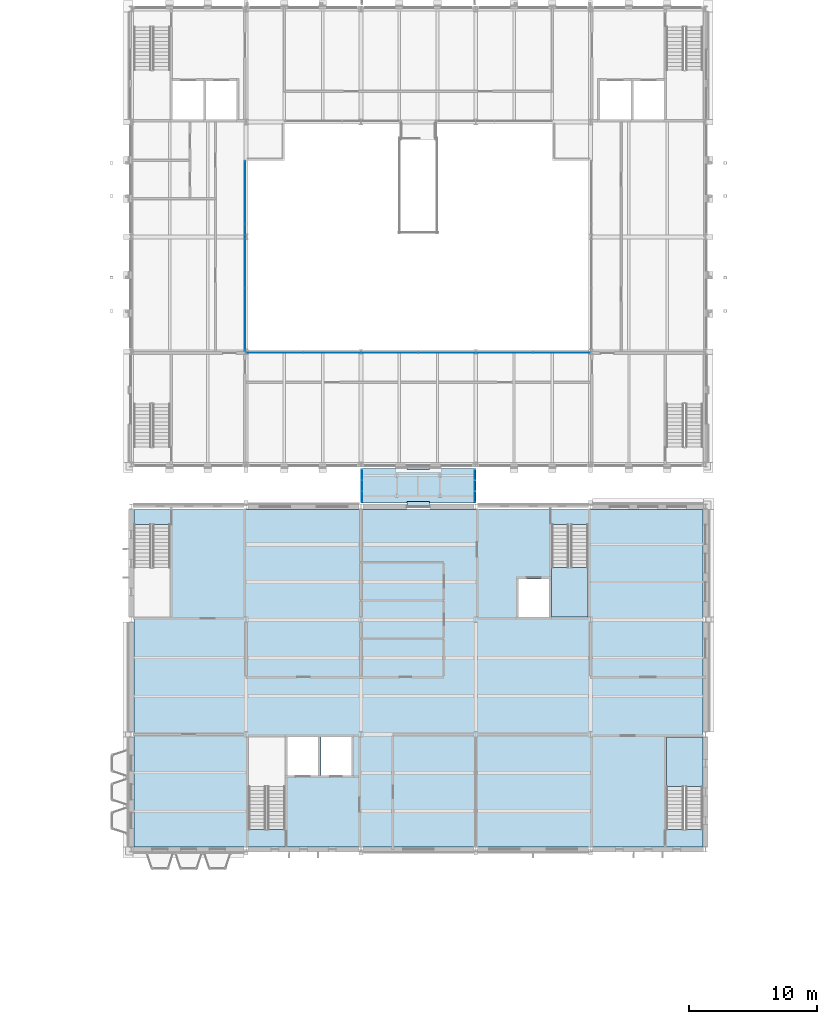
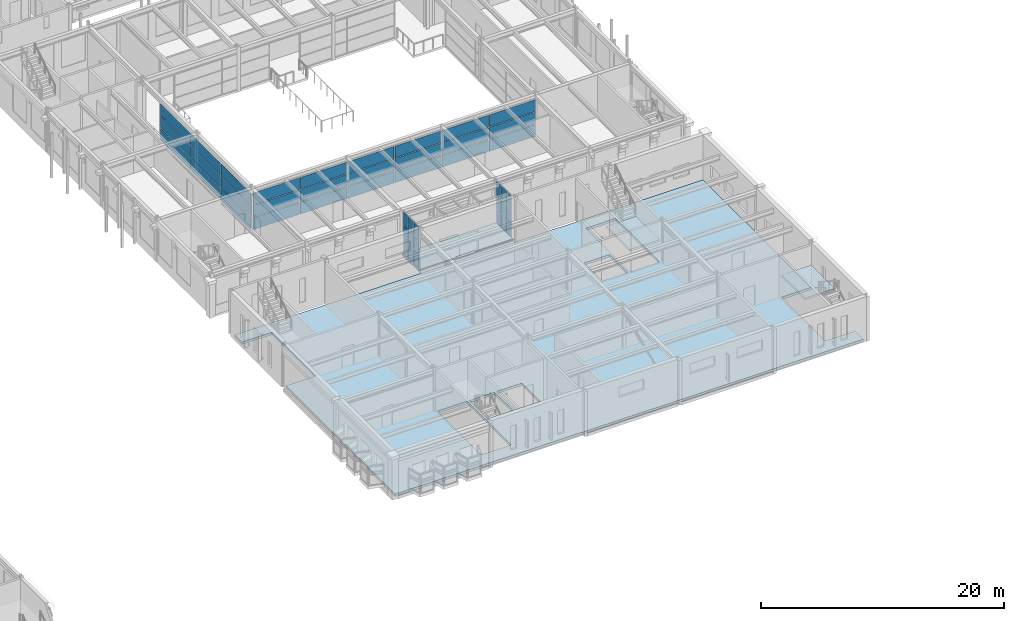
# One storey, part 83 of 153: 47 plates, 4 slabs, 6 elements without a shape of their own.
"""IFC4 building model written with IfcOpenShell, lengths in metres."""

from ifc_helpers import new_model, si_unit, direction, frame, origin, origin_2d, place, context, subcontext, project, spatial, polyline, rectangle, outline, extrude, material, layer, layer_set, type_object, element, aggregate, save


model = new_model("IFC4")

# Units and contexts
model_context = context("Model", 3, precision=1e-05, world=origin(), true_north=direction((0.0, 1.0)))
body_context = subcontext(model_context, "Body", "Model", "MODEL_VIEW")
ifc_project = project(units=[si_unit("LENGTHUNIT", "METRE"), si_unit("AREAUNIT", "SQUARE_METRE"), si_unit("VOLUMEUNIT", "CUBIC_METRE"), si_unit("PLANEANGLEUNIT", "RADIAN"), si_unit("MASSUNIT", "GRAM", prefix="KILO")], contexts=[model_context])

# Site, building, storey
site_placement = place(None, origin())
site = spatial("IfcSite", under=ifc_project, at=site_placement, CompositionType="ELEMENT")
building_placement = place(site_placement, origin())
building = spatial("IfcBuilding", under=site, at=building_placement, Name="Kallimachos Central Library", CompositionType="ELEMENT")
storey_placement = place(building_placement, frame((0.0, 0.0, 5.39990234375)))
storey = spatial("IfcBuildingStorey", under=building, at=storey_placement, Name="L01", CompositionType="ELEMENT", Elevation=5.39990234375)

# Curtain wall, plates
ifc_material_1 = material(Name="Aluminium and laminated glass", Category="aluminium")
curtain_wall_type_1 = type_object("IfcCurtainWallType", Name="Atrium glazed screen", PredefinedType="NOTDEFINED", material=ifc_material_1)
curtain_wall_1_placement = place(storey_placement, origin())
curtain_wall_1 = element("IfcCurtainWall", 1, at=curtain_wall_1_placement, inside=storey, type_object=curtain_wall_type_1, Name="L01 atrium screen S", PredefinedType="NOTDEFINED")
ifc_material_2 = material(Name="Laminated glass", Category="glass")
ifc_layer_1 = layer(ifc_material_2, 0.028076171875)
ifc_layer_set_1 = layer_set([ifc_layer_1], Name="Atrium screen glass panel")
plate_type_1 = type_object("IfcPlateType", Name="Atrium screen glass panel", PredefinedType="CURTAIN_PANEL", material=ifc_layer_set_1)
plate_1_placement = place(storey_placement, frame((76.764892578125, 56.919921875, 0.06005859375), z_axis=(0.0, 0.0, 1.0), x_axis=(1.0, 0.0, 0.0)))
plate_1 = element("IfcPlate", 2, at=plate_1_placement, type_object=plate_type_1, Name="CW panel 1.1", PredefinedType="CURTAIN_PANEL", context=body_context, shape_type="SweptSolid", body=[
    extrude(rectangle(XDim=4.409912109375, YDim=0.028076171875, at=origin_2d()), origin(), (0.0, 0.0, 1.0), 1.1767578125),
])
plate_2_placement = place(storey_placement, frame((76.764892578125, 56.919921875, 1.296875), z_axis=(0.0, 0.0, 1.0), x_axis=(1.0, 0.0, 0.0)))
plate_2 = element("IfcPlate", 3, at=plate_2_placement, type_object=plate_type_1, Name="CW panel 1.2", PredefinedType="CURTAIN_PANEL", context=body_context, shape_type="SweptSolid", body=[
    extrude(rectangle(XDim=4.409912109375, YDim=0.028076171875, at=origin_2d()), origin(), (0.0, 0.0, 1.0), 1.206787109375),
])
plate_3_placement = place(storey_placement, frame((76.764892578125, 56.919921875, 2.5634765625), z_axis=(0.0, 0.0, 1.0), x_axis=(1.0, 0.0, 0.0)))
plate_3 = element("IfcPlate", 4, at=plate_3_placement, type_object=plate_type_1, Name="CW panel 1.3", PredefinedType="CURTAIN_PANEL", context=body_context, shape_type="SweptSolid", body=[
    extrude(rectangle(XDim=4.409912109375, YDim=0.028076171875, at=origin_2d()), origin(), (0.0, 0.0, 1.0), 1.1767578125),
])
plate_4_placement = place(storey_placement, frame((81.25, 56.919921875, 0.06005859375), z_axis=(0.0, 0.0, 1.0), x_axis=(1.0, 0.0, 0.0)))
plate_4 = element("IfcPlate", 5, at=plate_4_placement, type_object=plate_type_1, Name="CW panel 2.1", PredefinedType="CURTAIN_PANEL", context=body_context, shape_type="SweptSolid", body=[
    extrude(rectangle(XDim=4.43994140625, YDim=0.028076171875, at=origin_2d()), origin(), (0.0, 0.0, 1.0), 1.1767578125),
])
plate_5_placement = place(storey_placement, frame((81.25, 56.919921875, 1.296875), z_axis=(0.0, 0.0, 1.0), x_axis=(1.0, 0.0, 0.0)))
plate_5 = element("IfcPlate", 6, at=plate_5_placement, type_object=plate_type_1, Name="CW panel 2.2", PredefinedType="CURTAIN_PANEL", context=body_context, shape_type="SweptSolid", body=[
    extrude(rectangle(XDim=4.43994140625, YDim=0.028076171875, at=origin_2d()), origin(), (0.0, 0.0, 1.0), 1.206787109375),
])
plate_6_placement = place(storey_placement, frame((81.25, 56.919921875, 2.5634765625), z_axis=(0.0, 0.0, 1.0), x_axis=(1.0, 0.0, 0.0)))
plate_6 = element("IfcPlate", 7, at=plate_6_placement, type_object=plate_type_1, Name="CW panel 2.3", PredefinedType="CURTAIN_PANEL", context=body_context, shape_type="SweptSolid", body=[
    extrude(rectangle(XDim=4.43994140625, YDim=0.028076171875, at=origin_2d()), origin(), (0.0, 0.0, 1.0), 1.1767578125),
])
plate_7_placement = place(storey_placement, frame((85.75, 56.919921875, 0.06005859375), z_axis=(0.0, 0.0, 1.0), x_axis=(1.0, 0.0, 0.0)))
plate_7 = element("IfcPlate", 8, at=plate_7_placement, type_object=plate_type_1, Name="CW panel 3.1", PredefinedType="CURTAIN_PANEL", context=body_context, shape_type="SweptSolid", body=[
    extrude(rectangle(XDim=4.43994140625, YDim=0.028076171875, at=origin_2d()), origin(), (0.0, 0.0, 1.0), 1.1767578125),
])
plate_8_placement = place(storey_placement, frame((85.75, 56.919921875, 1.296875), z_axis=(0.0, 0.0, 1.0), x_axis=(1.0, 0.0, 0.0)))
plate_8 = element("IfcPlate", 9, at=plate_8_placement, type_object=plate_type_1, Name="CW panel 3.2", PredefinedType="CURTAIN_PANEL", context=body_context, shape_type="SweptSolid", body=[
    extrude(rectangle(XDim=4.43994140625, YDim=0.028076171875, at=origin_2d()), origin(), (0.0, 0.0, 1.0), 1.206787109375),
])
plate_9_placement = place(storey_placement, frame((85.75, 56.919921875, 2.5634765625), z_axis=(0.0, 0.0, 1.0), x_axis=(1.0, 0.0, 0.0)))
plate_9 = element("IfcPlate", 10, at=plate_9_placement, type_object=plate_type_1, Name="CW panel 3.3", PredefinedType="CURTAIN_PANEL", context=body_context, shape_type="SweptSolid", body=[
    extrude(rectangle(XDim=4.43994140625, YDim=0.028076171875, at=origin_2d()), origin(), (0.0, 0.0, 1.0), 1.1767578125),
])
plate_10_placement = place(storey_placement, frame((90.25, 56.919921875, 0.06005859375), z_axis=(0.0, 0.0, 1.0), x_axis=(1.0, 0.0, 0.0)))
plate_10 = element("IfcPlate", 11, at=plate_10_placement, type_object=plate_type_1, Name="CW panel 4.1", PredefinedType="CURTAIN_PANEL", context=body_context, shape_type="SweptSolid", body=[
    extrude(rectangle(XDim=4.43994140625, YDim=0.028076171875, at=origin_2d()), origin(), (0.0, 0.0, 1.0), 1.1767578125),
])
plate_11_placement = place(storey_placement, frame((90.25, 56.919921875, 1.296875), z_axis=(0.0, 0.0, 1.0), x_axis=(1.0, 0.0, 0.0)))
plate_11 = element("IfcPlate", 12, at=plate_11_placement, type_object=plate_type_1, Name="CW panel 4.2", PredefinedType="CURTAIN_PANEL", context=body_context, shape_type="SweptSolid", body=[
    extrude(rectangle(XDim=4.43994140625, YDim=0.028076171875, at=origin_2d()), origin(), (0.0, 0.0, 1.0), 1.206787109375),
])
plate_12_placement = place(storey_placement, frame((90.25, 56.919921875, 2.5634765625), z_axis=(0.0, 0.0, 1.0), x_axis=(1.0, 0.0, 0.0)))
plate_12 = element("IfcPlate", 13, at=plate_12_placement, type_object=plate_type_1, Name="CW panel 4.3", PredefinedType="CURTAIN_PANEL", context=body_context, shape_type="SweptSolid", body=[
    extrude(rectangle(XDim=4.43994140625, YDim=0.028076171875, at=origin_2d()), origin(), (0.0, 0.0, 1.0), 1.1767578125),
])
plate_13_placement = place(storey_placement, frame((94.75, 56.919921875, 0.06005859375), z_axis=(0.0, 0.0, 1.0), x_axis=(1.0, 0.0, 0.0)))
plate_13 = element("IfcPlate", 14, at=plate_13_placement, type_object=plate_type_1, Name="CW panel 5.1", PredefinedType="CURTAIN_PANEL", context=body_context, shape_type="SweptSolid", body=[
    extrude(rectangle(XDim=4.43994140625, YDim=0.028076171875, at=origin_2d()), origin(), (0.0, 0.0, 1.0), 1.1767578125),
])
plate_14_placement = place(storey_placement, frame((94.75, 56.919921875, 1.296875), z_axis=(0.0, 0.0, 1.0), x_axis=(1.0, 0.0, 0.0)))
plate_14 = element("IfcPlate", 15, at=plate_14_placement, type_object=plate_type_1, Name="CW panel 5.2", PredefinedType="CURTAIN_PANEL", context=body_context, shape_type="SweptSolid", body=[
    extrude(rectangle(XDim=4.43994140625, YDim=0.028076171875, at=origin_2d()), origin(), (0.0, 0.0, 1.0), 1.206787109375),
])
plate_15_placement = place(storey_placement, frame((94.75, 56.919921875, 2.5634765625), z_axis=(0.0, 0.0, 1.0), x_axis=(1.0, 0.0, 0.0)))
plate_15 = element("IfcPlate", 16, at=plate_15_placement, type_object=plate_type_1, Name="CW panel 5.3", PredefinedType="CURTAIN_PANEL", context=body_context, shape_type="SweptSolid", body=[
    extrude(rectangle(XDim=4.43994140625, YDim=0.028076171875, at=origin_2d()), origin(), (0.0, 0.0, 1.0), 1.1767578125),
])
plate_16_placement = place(storey_placement, frame((99.235107421875, 56.919921875, 0.06005859375), z_axis=(0.0, 0.0, 1.0), x_axis=(1.0, 0.0, 0.0)))
plate_16 = element("IfcPlate", 17, at=plate_16_placement, type_object=plate_type_1, Name="CW panel 6.1", PredefinedType="CURTAIN_PANEL", context=body_context, shape_type="SweptSolid", body=[
    extrude(rectangle(XDim=4.409912109375, YDim=0.028076171875, at=origin_2d()), origin(), (0.0, 0.0, 1.0), 1.1767578125),
])
plate_17_placement = place(storey_placement, frame((99.235107421875, 56.919921875, 1.296875), z_axis=(0.0, 0.0, 1.0), x_axis=(1.0, 0.0, 0.0)))
plate_17 = element("IfcPlate", 18, at=plate_17_placement, type_object=plate_type_1, Name="CW panel 6.2", PredefinedType="CURTAIN_PANEL", context=body_context, shape_type="SweptSolid", body=[
    extrude(rectangle(XDim=4.409912109375, YDim=0.028076171875, at=origin_2d()), origin(), (0.0, 0.0, 1.0), 1.206787109375),
])
plate_18_placement = place(storey_placement, frame((99.235107421875, 56.919921875, 2.5634765625), z_axis=(0.0, 0.0, 1.0), x_axis=(1.0, 0.0, 0.0)))
plate_18 = element("IfcPlate", 19, at=plate_18_placement, type_object=plate_type_1, Name="CW panel 6.3", PredefinedType="CURTAIN_PANEL", context=body_context, shape_type="SweptSolid", body=[
    extrude(rectangle(XDim=4.409912109375, YDim=0.028076171875, at=origin_2d()), origin(), (0.0, 0.0, 1.0), 1.1767578125),
])
aggregate(curtain_wall_1, [plate_1, plate_2, plate_3, plate_4, plate_5, plate_6, plate_7, plate_8, plate_9, plate_10, plate_11, plate_12, plate_13, plate_14, plate_15, plate_16, plate_17, plate_18])

curtain_wall_2_placement = place(storey_placement, origin())
curtain_wall_2 = element("IfcCurtainWall", 20, at=curtain_wall_2_placement, inside=storey, type_object=curtain_wall_type_1, Name="L01 atrium screen W", PredefinedType="NOTDEFINED")
plate_19_placement = place(storey_placement, frame((74.419921875, 59.514892578125, 0.06005859375), z_axis=(0.0, 0.0, 1.0), x_axis=(0.0, 1.0, 0.0)))
plate_19 = element("IfcPlate", 21, at=plate_19_placement, type_object=plate_type_1, Name="CW panel 1.1", PredefinedType="CURTAIN_PANEL", context=body_context, shape_type="SweptSolid", body=[
    extrude(rectangle(XDim=4.909912109375, YDim=0.028076171875, at=origin_2d()), origin(), (0.0, 0.0, 1.0), 1.159912109375),
])
plate_20_placement = place(storey_placement, frame((74.419921875, 59.514892578125, 1.280029296875), z_axis=(0.0, 0.0, 1.0), x_axis=(0.0, 1.0, 0.0)))
plate_20 = element("IfcPlate", 22, at=plate_20_placement, type_object=plate_type_1, Name="CW panel 1.2", PredefinedType="CURTAIN_PANEL", context=body_context, shape_type="SweptSolid", body=[
    extrude(rectangle(XDim=4.909912109375, YDim=0.028076171875, at=origin_2d()), origin(), (0.0, 0.0, 1.0), 1.18994140625),
])
plate_21_placement = place(storey_placement, frame((74.419921875, 59.514892578125, 2.5302734375), z_axis=(0.0, 0.0, 1.0), x_axis=(0.0, 1.0, 0.0)))
plate_21 = element("IfcPlate", 23, at=plate_21_placement, type_object=plate_type_1, Name="CW panel 1.3", PredefinedType="CURTAIN_PANEL", context=body_context, shape_type="SweptSolid", body=[
    extrude(rectangle(XDim=4.909912109375, YDim=0.028076171875, at=origin_2d()), origin(), (0.0, 0.0, 1.0), 1.159912109375),
])
plate_22_placement = place(storey_placement, frame((74.419921875, 64.5, 0.06005859375), z_axis=(0.0, 0.0, 1.0), x_axis=(0.0, 1.0, 0.0)))
plate_22 = element("IfcPlate", 24, at=plate_22_placement, type_object=plate_type_1, Name="CW panel 2.1", PredefinedType="CURTAIN_PANEL", context=body_context, shape_type="SweptSolid", body=[
    extrude(rectangle(XDim=4.93994140625, YDim=0.028076171875, at=origin_2d()), origin(), (0.0, 0.0, 1.0), 1.159912109375),
])
plate_23_placement = place(storey_placement, frame((74.419921875, 64.5, 1.280029296875), z_axis=(0.0, 0.0, 1.0), x_axis=(0.0, 1.0, 0.0)))
plate_23 = element("IfcPlate", 25, at=plate_23_placement, type_object=plate_type_1, Name="CW panel 2.2", PredefinedType="CURTAIN_PANEL", context=body_context, shape_type="SweptSolid", body=[
    extrude(rectangle(XDim=4.93994140625, YDim=0.028076171875, at=origin_2d()), origin(), (0.0, 0.0, 1.0), 1.18994140625),
])
plate_24_placement = place(storey_placement, frame((74.419921875, 64.5, 2.5302734375), z_axis=(0.0, 0.0, 1.0), x_axis=(0.0, 1.0, 0.0)))
plate_24 = element("IfcPlate", 26, at=plate_24_placement, type_object=plate_type_1, Name="CW panel 2.3", PredefinedType="CURTAIN_PANEL", context=body_context, shape_type="SweptSolid", body=[
    extrude(rectangle(XDim=4.93994140625, YDim=0.028076171875, at=origin_2d()), origin(), (0.0, 0.0, 1.0), 1.159912109375),
])
plate_25_placement = place(storey_placement, frame((74.419921875, 69.485107421875, 0.06005859375), z_axis=(0.0, 0.0, 1.0), x_axis=(0.0, 1.0, 0.0)))
plate_25 = element("IfcPlate", 27, at=plate_25_placement, type_object=plate_type_1, Name="CW panel 3.1", PredefinedType="CURTAIN_PANEL", context=body_context, shape_type="SweptSolid", body=[
    extrude(rectangle(XDim=4.909912109375, YDim=0.028076171875, at=origin_2d()), origin(), (0.0, 0.0, 1.0), 1.159912109375),
])
plate_26_placement = place(storey_placement, frame((74.419921875, 69.485107421875, 1.280029296875), z_axis=(0.0, 0.0, 1.0), x_axis=(0.0, 1.0, 0.0)))
plate_26 = element("IfcPlate", 28, at=plate_26_placement, type_object=plate_type_1, Name="CW panel 3.2", PredefinedType="CURTAIN_PANEL", context=body_context, shape_type="SweptSolid", body=[
    extrude(rectangle(XDim=4.909912109375, YDim=0.028076171875, at=origin_2d()), origin(), (0.0, 0.0, 1.0), 1.18994140625),
])
plate_27_placement = place(storey_placement, frame((74.419921875, 69.485107421875, 2.5302734375), z_axis=(0.0, 0.0, 1.0), x_axis=(0.0, 1.0, 0.0)))
plate_27 = element("IfcPlate", 29, at=plate_27_placement, type_object=plate_type_1, Name="CW panel 3.3", PredefinedType="CURTAIN_PANEL", context=body_context, shape_type="SweptSolid", body=[
    extrude(rectangle(XDim=4.909912109375, YDim=0.028076171875, at=origin_2d()), origin(), (0.0, 0.0, 1.0), 1.159912109375),
])
aggregate(curtain_wall_2, [plate_19, plate_20, plate_21, plate_22, plate_23, plate_24, plate_25, plate_26, plate_27])

# Slabs
ifc_material_3 = material(Name="Composite slab C30/37 on steel deck", Category="concrete")
ifc_layer_2 = layer(ifc_material_3, 0.14990234375)
ifc_layer_set_2 = layer_set([ifc_layer_2], Name="Composite floor slab 150")
slab_type_1 = type_object("IfcSlabType", Name="Composite floor slab 150", PredefinedType="FLOOR", material=ifc_layer_set_2)
slab_1_placement = place(storey_placement, frame((0.0, 0.0, -0.14990234375)))
element("IfcSlab", 30, at=slab_1_placement, inside=storey, type_object=slab_type_1, Name="Stacks Link floor L01", PredefinedType="FLOOR", context=body_context, shape_type="SweptSolid", body=[
    extrude(outline(polyline([(83.5, 45.14990234375), (92.5, 45.14990234375), (92.5, 47.85009765625), (83.5, 47.85009765625), (83.5, 45.14990234375)])), origin(), (0.0, 0.0, 1.0), 0.14990234375),
])
ifc_material_4 = material(Name="Composite slab C30/37 on steel deck", Category="concrete")
ifc_layer_3 = layer(ifc_material_4, 0.25)
ifc_layer_set_3 = layer_set([ifc_layer_3], Name="Composite floor slab 250")
slab_type_2 = type_object("IfcSlabType", Name="Composite floor slab 250", PredefinedType="FLOOR", material=ifc_layer_set_3)
slab_2_placement = place(storey_placement, frame((0.0, 0.0, -0.25)))
element("IfcSlab", 31, at=slab_2_placement, inside=storey, type_object=slab_type_2, Name="V5-SLB-L01-001", PredefinedType="FLOOR", context=body_context, shape_type="SweptSolid", body=[
    extrude(outline(polyline([(110.300048828125, 18.199951171875), (65.699951171875, 18.199951171875), (65.699951171875, 36.199951171875), (68.550048828125, 36.199951171875), (68.550048828125, 43.446044921875), (65.699951171875, 43.446044921875), (65.699951171875, 44.64990234375), (110.300048828125, 44.64990234375), (110.300048828125, 26.800048828125), (107.449951171875, 26.800048828125), (107.449951171875, 19.553955078125), (110.300048828125, 19.553955078125), (110.300048828125, 18.199951171875)]), holes=[polyline([(74.699951171875, 19.553955078125), (77.550048828125, 19.553955078125), (77.550048828125, 26.800048828125), (74.699951171875, 26.800048828125), (74.699951171875, 19.553955078125)]), polyline([(80.14990234375, 26.800048828125), (77.75, 26.800048828125), (77.75, 23.800048828125), (80.14990234375, 23.800048828125), (80.14990234375, 26.800048828125)]), polyline([(82.75, 26.800048828125), (80.35009765625, 26.800048828125), (80.35009765625, 23.800048828125), (82.75, 23.800048828125), (82.75, 26.800048828125)]), polyline([(98.25, 39.199951171875), (95.85009765625, 39.199951171875), (95.85009765625, 36.199951171875), (98.25, 36.199951171875), (98.25, 39.199951171875)]), polyline([(101.300048828125, 36.199951171875), (101.300048828125, 43.446044921875), (98.449951171875, 43.446044921875), (98.449951171875, 36.199951171875), (101.300048828125, 36.199951171875)])]), origin(), (0.0, 0.0, 1.0), 0.25),
])

# Plates
ifc_material_5 = material(Name="Stainless steel plate", Category="steel")
ifc_layer_4 = layer(ifc_material_5, 0.011962890625)
ifc_layer_set_4 = layer_set([ifc_layer_4], Name="Joint cover plate")
plate_type_2 = type_object("IfcPlateType", Name="Joint cover plate", PredefinedType="SHEET", material=ifc_layer_set_4)
for number, where, z_axis, x_axis, name in (
    (32, (88.0, 45.10009765625, 0.0), (0.0, 0.0, 1.0), (1.0, 0.0, 0.0), "Stacks Link joint cover plate L01"),
    (33, (88.0, 47.9150390625, 0.0), (0.0, 0.0, 1.0), (1.0, 0.0, 0.0), "Stacks Link joint cover plate L01"),
):
    element("IfcPlate", number, at=place(storey_placement, frame(where, z_axis=z_axis, x_axis=x_axis)), inside=storey, type_object=plate_type_2, Name=name, PredefinedType="SHEET", context=body_context, shape_type="SweptSolid", body=[
        extrude(rectangle(XDim=1.780029296875, YDim=0.300048828125, at=origin_2d()), origin(), (0.0, 0.0, 1.0), 0.011962890625),
    ])

# Curtain wall, plates
ifc_material_6 = material(Name="Aluminium and laminated glass", Category="aluminium")
curtain_wall_type_2 = type_object("IfcCurtainWallType", Name="Link glazed wall", PredefinedType="NOTDEFINED", material=ifc_material_6)
curtain_wall_3_placement = place(storey_placement, origin())
curtain_wall_3 = element("IfcCurtainWall", 34, at=curtain_wall_3_placement, inside=storey, type_object=curtain_wall_type_2, Name="Stacks Link glazed wall L01", PredefinedType="NOTDEFINED")
ifc_material_7 = material(Name="Laminated glass", Category="glass")
ifc_layer_5 = layer(ifc_material_7, 0.028076171875)
ifc_layer_set_5 = layer_set([ifc_layer_5], Name="Laminated glass panel 28")
plate_type_3 = type_object("IfcPlateType", Name="Laminated glass panel 28", PredefinedType="CURTAIN_PANEL", material=ifc_layer_set_5)
plate_28_placement = place(storey_placement, frame((83.580078125, 45.6484375, 0.06005859375), z_axis=(0.0, 0.0, 1.0), x_axis=(0.0, 1.0, 0.0)))
plate_28 = element("IfcPlate", 35, at=plate_28_placement, type_object=plate_type_3, Name="CW60 panel 1.1", PredefinedType="CURTAIN_PANEL", context=body_context, shape_type="SweptSolid", body=[
    extrude(rectangle(XDim=0.776611328125, YDim=0.028076171875, at=origin_2d()), origin(), (0.0, 0.0, 1.0), 1.360107421875),
])
plate_29_placement = place(storey_placement, frame((83.580078125, 45.6484375, 1.47998046875), z_axis=(0.0, 0.0, 1.0), x_axis=(0.0, 1.0, 0.0)))
plate_29 = element("IfcPlate", 36, at=plate_29_placement, type_object=plate_type_3, Name="CW60 panel 1.2", PredefinedType="CURTAIN_PANEL", context=body_context, shape_type="SweptSolid", body=[
    extrude(rectangle(XDim=0.776611328125, YDim=0.028076171875, at=origin_2d()), origin(), (0.0, 0.0, 1.0), 1.389892578125),
])
plate_30_placement = place(storey_placement, frame((83.580078125, 45.6484375, 2.93017578125), z_axis=(0.0, 0.0, 1.0), x_axis=(0.0, 1.0, 0.0)))
plate_30 = element("IfcPlate", 37, at=plate_30_placement, type_object=plate_type_3, Name="CW60 panel 1.3", PredefinedType="CURTAIN_PANEL", context=body_context, shape_type="SweptSolid", body=[
    extrude(rectangle(XDim=0.776611328125, YDim=0.028076171875, at=origin_2d()), origin(), (0.0, 0.0, 1.0), 1.360107421875),
])
plate_31_placement = place(storey_placement, frame((83.580078125, 46.5, 0.06005859375), z_axis=(0.0, 0.0, 1.0), x_axis=(0.0, 1.0, 0.0)))
plate_31 = element("IfcPlate", 38, at=plate_31_placement, type_object=plate_type_3, Name="CW60 panel 2.1", PredefinedType="CURTAIN_PANEL", context=body_context, shape_type="SweptSolid", body=[
    extrude(rectangle(XDim=0.806640625, YDim=0.028076171875, at=origin_2d()), origin(), (0.0, 0.0, 1.0), 1.360107421875),
])
plate_32_placement = place(storey_placement, frame((83.580078125, 46.5, 1.47998046875), z_axis=(0.0, 0.0, 1.0), x_axis=(0.0, 1.0, 0.0)))
plate_32 = element("IfcPlate", 39, at=plate_32_placement, type_object=plate_type_3, Name="CW60 panel 2.2", PredefinedType="CURTAIN_PANEL", context=body_context, shape_type="SweptSolid", body=[
    extrude(rectangle(XDim=0.806640625, YDim=0.028076171875, at=origin_2d()), origin(), (0.0, 0.0, 1.0), 1.389892578125),
])
plate_33_placement = place(storey_placement, frame((83.580078125, 46.5, 2.93017578125), z_axis=(0.0, 0.0, 1.0), x_axis=(0.0, 1.0, 0.0)))
plate_33 = element("IfcPlate", 40, at=plate_33_placement, type_object=plate_type_3, Name="CW60 panel 2.3", PredefinedType="CURTAIN_PANEL", context=body_context, shape_type="SweptSolid", body=[
    extrude(rectangle(XDim=0.806640625, YDim=0.028076171875, at=origin_2d()), origin(), (0.0, 0.0, 1.0), 1.360107421875),
])
plate_34_placement = place(storey_placement, frame((83.580078125, 47.3515625, 0.06005859375), z_axis=(0.0, 0.0, 1.0), x_axis=(0.0, 1.0, 0.0)))
plate_34 = element("IfcPlate", 41, at=plate_34_placement, type_object=plate_type_3, Name="CW60 panel 3.1", PredefinedType="CURTAIN_PANEL", context=body_context, shape_type="SweptSolid", body=[
    extrude(rectangle(XDim=0.776611328125, YDim=0.028076171875, at=origin_2d()), origin(), (0.0, 0.0, 1.0), 1.360107421875),
])
plate_35_placement = place(storey_placement, frame((83.580078125, 47.3515625, 1.47998046875), z_axis=(0.0, 0.0, 1.0), x_axis=(0.0, 1.0, 0.0)))
plate_35 = element("IfcPlate", 42, at=plate_35_placement, type_object=plate_type_3, Name="CW60 panel 3.2", PredefinedType="CURTAIN_PANEL", context=body_context, shape_type="SweptSolid", body=[
    extrude(rectangle(XDim=0.776611328125, YDim=0.028076171875, at=origin_2d()), origin(), (0.0, 0.0, 1.0), 1.389892578125),
])
plate_36_placement = place(storey_placement, frame((83.580078125, 47.3515625, 2.93017578125), z_axis=(0.0, 0.0, 1.0), x_axis=(0.0, 1.0, 0.0)))
plate_36 = element("IfcPlate", 43, at=plate_36_placement, type_object=plate_type_3, Name="CW60 panel 3.3", PredefinedType="CURTAIN_PANEL", context=body_context, shape_type="SweptSolid", body=[
    extrude(rectangle(XDim=0.776611328125, YDim=0.028076171875, at=origin_2d()), origin(), (0.0, 0.0, 1.0), 1.360107421875),
])
aggregate(curtain_wall_3, [plate_28, plate_29, plate_30, plate_31, plate_32, plate_33, plate_34, plate_35, plate_36])

curtain_wall_4_placement = place(storey_placement, origin())
curtain_wall_4 = element("IfcCurtainWall", 44, at=curtain_wall_4_placement, inside=storey, type_object=curtain_wall_type_2, Name="Stacks Link glazed wall L01", PredefinedType="NOTDEFINED")
plate_37_placement = place(storey_placement, frame((92.419921875, 45.6484375, 0.06005859375), z_axis=(0.0, 0.0, 1.0), x_axis=(0.0, 1.0, 0.0)))
plate_37 = element("IfcPlate", 45, at=plate_37_placement, type_object=plate_type_3, Name="CW61 panel 1.1", PredefinedType="CURTAIN_PANEL", context=body_context, shape_type="SweptSolid", body=[
    extrude(rectangle(XDim=0.776611328125, YDim=0.028076171875, at=origin_2d()), origin(), (0.0, 0.0, 1.0), 1.360107421875),
])
plate_38_placement = place(storey_placement, frame((92.419921875, 45.6484375, 1.47998046875), z_axis=(0.0, 0.0, 1.0), x_axis=(0.0, 1.0, 0.0)))
plate_38 = element("IfcPlate", 46, at=plate_38_placement, type_object=plate_type_3, Name="CW61 panel 1.2", PredefinedType="CURTAIN_PANEL", context=body_context, shape_type="SweptSolid", body=[
    extrude(rectangle(XDim=0.776611328125, YDim=0.028076171875, at=origin_2d()), origin(), (0.0, 0.0, 1.0), 1.389892578125),
])
plate_39_placement = place(storey_placement, frame((92.419921875, 45.6484375, 2.93017578125), z_axis=(0.0, 0.0, 1.0), x_axis=(0.0, 1.0, 0.0)))
plate_39 = element("IfcPlate", 47, at=plate_39_placement, type_object=plate_type_3, Name="CW61 panel 1.3", PredefinedType="CURTAIN_PANEL", context=body_context, shape_type="SweptSolid", body=[
    extrude(rectangle(XDim=0.776611328125, YDim=0.028076171875, at=origin_2d()), origin(), (0.0, 0.0, 1.0), 1.360107421875),
])
plate_40_placement = place(storey_placement, frame((92.419921875, 46.5, 0.06005859375), z_axis=(0.0, 0.0, 1.0), x_axis=(0.0, 1.0, 0.0)))
plate_40 = element("IfcPlate", 48, at=plate_40_placement, type_object=plate_type_3, Name="CW61 panel 2.1", PredefinedType="CURTAIN_PANEL", context=body_context, shape_type="SweptSolid", body=[
    extrude(rectangle(XDim=0.806640625, YDim=0.028076171875, at=origin_2d()), origin(), (0.0, 0.0, 1.0), 1.360107421875),
])
plate_41_placement = place(storey_placement, frame((92.419921875, 46.5, 1.47998046875), z_axis=(0.0, 0.0, 1.0), x_axis=(0.0, 1.0, 0.0)))
plate_41 = element("IfcPlate", 49, at=plate_41_placement, type_object=plate_type_3, Name="CW61 panel 2.2", PredefinedType="CURTAIN_PANEL", context=body_context, shape_type="SweptSolid", body=[
    extrude(rectangle(XDim=0.806640625, YDim=0.028076171875, at=origin_2d()), origin(), (0.0, 0.0, 1.0), 1.389892578125),
])
plate_42_placement = place(storey_placement, frame((92.419921875, 46.5, 2.93017578125), z_axis=(0.0, 0.0, 1.0), x_axis=(0.0, 1.0, 0.0)))
plate_42 = element("IfcPlate", 50, at=plate_42_placement, type_object=plate_type_3, Name="CW61 panel 2.3", PredefinedType="CURTAIN_PANEL", context=body_context, shape_type="SweptSolid", body=[
    extrude(rectangle(XDim=0.806640625, YDim=0.028076171875, at=origin_2d()), origin(), (0.0, 0.0, 1.0), 1.360107421875),
])
plate_43_placement = place(storey_placement, frame((92.419921875, 47.3515625, 0.06005859375), z_axis=(0.0, 0.0, 1.0), x_axis=(0.0, 1.0, 0.0)))
plate_43 = element("IfcPlate", 51, at=plate_43_placement, type_object=plate_type_3, Name="CW61 panel 3.1", PredefinedType="CURTAIN_PANEL", context=body_context, shape_type="SweptSolid", body=[
    extrude(rectangle(XDim=0.776611328125, YDim=0.028076171875, at=origin_2d()), origin(), (0.0, 0.0, 1.0), 1.360107421875),
])
plate_44_placement = place(storey_placement, frame((92.419921875, 47.3515625, 1.47998046875), z_axis=(0.0, 0.0, 1.0), x_axis=(0.0, 1.0, 0.0)))
plate_44 = element("IfcPlate", 52, at=plate_44_placement, type_object=plate_type_3, Name="CW61 panel 3.2", PredefinedType="CURTAIN_PANEL", context=body_context, shape_type="SweptSolid", body=[
    extrude(rectangle(XDim=0.776611328125, YDim=0.028076171875, at=origin_2d()), origin(), (0.0, 0.0, 1.0), 1.389892578125),
])
plate_45_placement = place(storey_placement, frame((92.419921875, 47.3515625, 2.93017578125), z_axis=(0.0, 0.0, 1.0), x_axis=(0.0, 1.0, 0.0)))
plate_45 = element("IfcPlate", 53, at=plate_45_placement, type_object=plate_type_3, Name="CW61 panel 3.3", PredefinedType="CURTAIN_PANEL", context=body_context, shape_type="SweptSolid", body=[
    extrude(rectangle(XDim=0.776611328125, YDim=0.028076171875, at=origin_2d()), origin(), (0.0, 0.0, 1.0), 1.360107421875),
])
aggregate(curtain_wall_4, [plate_37, plate_38, plate_39, plate_40, plate_41, plate_42, plate_43, plate_44, plate_45])

# Stair, slab
ifc_material_8 = material(Name="Concrete C30/37", Category="concrete")
stair_type = type_object("IfcStairType", Name="Concrete stair 1350", PredefinedType="HALF_TURN_STAIR", material=ifc_material_8)
stair_1_placement = place(storey_placement, origin())
stair_1 = element("IfcStair", 54, at=stair_1_placement, inside=storey, type_object=stair_type, Name="L01 stair ST14", PredefinedType="HALF_TURN_STAIR")
ifc_material_9 = material(Name="Concrete C30/37", Category="concrete")
ifc_layer_6 = layer(ifc_material_9, 0.199951171875)
ifc_layer_set_6 = layer_set([ifc_layer_6], Name="Stair landing slab 200")
slab_type_3 = type_object("IfcSlabType", Name="Stair landing slab 200", PredefinedType="LANDING", material=ifc_layer_set_6)
slab_3_placement = place(storey_placement, frame((0.0, 0.0, 2.050048828125)))
slab_3 = element("IfcSlab", 55, at=slab_3_placement, type_object=slab_type_3, Name="ST14 landing 1", PredefinedType="LANDING", context=body_context, shape_type="SweptSolid", body=[
    extrude(outline(polyline([(98.449951171875, 40.090087890625), (98.449951171875, 36.199951171875), (101.300048828125, 36.199951171875), (101.300048828125, 40.090087890625), (98.449951171875, 40.090087890625)])), origin(), (0.0, 0.0, 1.0), 0.199951171875),
])
aggregate(stair_1, [slab_3])

stair_2_placement = place(storey_placement, origin())
stair_2 = element("IfcStair", 56, at=stair_2_placement, inside=storey, type_object=stair_type, Name="L01 stair ST16", PredefinedType="HALF_TURN_STAIR")
slab_4_placement = place(storey_placement, frame((0.0, 0.0, 2.050048828125)))
slab_4 = element("IfcSlab", 57, at=slab_4_placement, type_object=slab_type_3, Name="ST16 landing 1", PredefinedType="LANDING", context=body_context, shape_type="SweptSolid", body=[
    extrude(outline(polyline([(110.300048828125, 22.909912109375), (110.300048828125, 26.800048828125), (107.449951171875, 26.800048828125), (107.449951171875, 22.909912109375), (110.300048828125, 22.909912109375)])), origin(), (0.0, 0.0, 1.0), 0.199951171875),
])
aggregate(stair_2, [slab_4])

save(model, "model.ifc")
